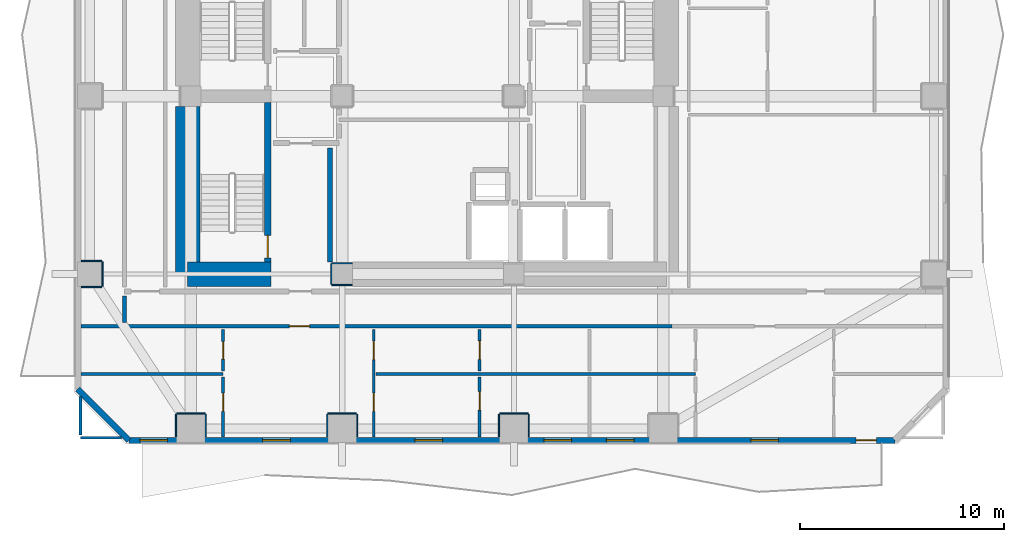
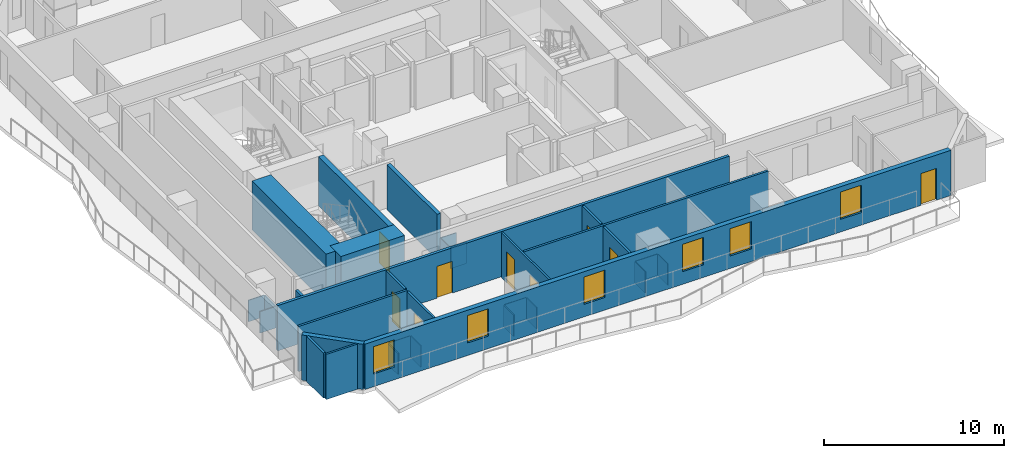
# One storey, part 2 of 11: 32 walls, 9 doors, 6 windows, 15 openings.
"""IFC4 building model written with IfcOpenShell, lengths in metres."""

from ifc_helpers import new_model, si_unit, direction, frame, frame_2d, origin, place, context, subcontext, project, spatial, rectangle, extrude, material, layer, layer_set, type_object, element, fill, save


model = new_model("IFC4")

# Units and contexts
model_context = context("Model", 3, precision=1e-05, world=origin(), true_north=direction((0.0, 1.0)))
body_context = subcontext(model_context, "Body", "Model", "MODEL_VIEW")
ifc_project = project(units=[si_unit("LENGTHUNIT", "METRE"), si_unit("AREAUNIT", "SQUARE_METRE"), si_unit("VOLUMEUNIT", "CUBIC_METRE"), si_unit("PLANEANGLEUNIT", "RADIAN"), si_unit("MASSUNIT", "GRAM", prefix="KILO")], contexts=[model_context])

# Site, building, storey
site_placement = place(None, origin())
site = spatial("IfcSite", under=ifc_project, at=site_placement, CompositionType="ELEMENT")
building_placement = place(site_placement, origin())
building = spatial("IfcBuilding", under=site, at=building_placement, Name="Solanera Arch Residences", CompositionType="ELEMENT")
storey_placement = place(building_placement, frame((0.0, 0.0, 71.800048828125)))
storey = spatial("IfcBuildingStorey", under=building, at=storey_placement, Name="L20", CompositionType="ELEMENT", Elevation=71.800048828125)

# Walls
ifc_material_1 = material(Name="Fire-Rated Gypsum Stud Partition", Category="gypsum")
ifc_layer_1 = layer(ifc_material_1, 0.06005859375)
ifc_layer_set_1 = layer_set([ifc_layer_1], Name="Fire-Rated Gypsum Stud Partition")
wall_type_1 = type_object("IfcWallType", Name="Column Acoustic Furring Wall 60", PredefinedType="PARTITIONING", material=ifc_layer_set_1)
for number, where, z_axis, x_axis, name in (
    (1, (20.300048828125, 21.468017578125, 0.0), (0.0, 0.0, 1.0), (1.0, 0.0, 0.0), "L20 Column Furring 1S"),
    (2, (20.300048828125, 22.531982421875, 0.0), (0.0, 0.0, 1.0), (1.0, 0.0, 0.0), "L20 Column Furring 1N"),
):
    element("IfcWall", number, at=place(storey_placement, frame(where, z_axis=z_axis, x_axis=x_axis)), inside=storey, type_object=wall_type_1, Name=name, PredefinedType="PARTITIONING", context=body_context, shape_type="SweptSolid", body=[
        extrude(rectangle(XDim=0.989990234375, YDim=0.06005859375, at=frame_2d((0.4951171875, 0.0))), origin(), (0.0, 0.0, 1.0), 1.449951171875),
    ])
wall_1_placement = place(storey_placement, frame((20.26806640625, 21.5, 0.0), z_axis=(0.0, 0.0, 1.0), x_axis=(0.0, 1.0, 0.0)))
element("IfcWall", 3, at=wall_1_placement, inside=storey, type_object=wall_type_1, Name="L20 Column Furring 1W", PredefinedType="PARTITIONING", context=body_context, shape_type="SweptSolid", body=[
    extrude(rectangle(XDim=1.0, YDim=0.06005859375, at=frame_2d((0.5, 0.0))), origin(), (0.0, 0.0, 1.0), 1.449951171875),
])
wall_2_placement = place(storey_placement, frame((12.699951171875, 15.181884765625, 0.0), z_axis=(0.0, 0.0, 1.0), x_axis=(1.0, 0.0, 0.0)))
element("IfcWall", 4, at=wall_2_placement, inside=storey, type_object=wall_type_1, Name="L20 Column Furring 9N", PredefinedType="PARTITIONING", context=body_context, shape_type="SweptSolid", body=[
    extrude(rectangle(XDim=1.400146484375, YDim=0.06005859375, at=frame_2d((0.7001953125, 0.0))), origin(), (0.0, 0.0, 1.0), 1.449951171875),
])
for number, where, z_axis, x_axis, name in (
    (5, (12.66796875, 14.030029296875, 0.0), (0.0, 0.0, 1.0), (0.0, 1.0, 0.0), "L20 Column Furring 9W"),
    (6, (14.132080078125, 14.030029296875, 0.0), (0.0, 0.0, 1.0), (0.0, 1.0, 0.0), "L20 Column Furring 9E"),
):
    element("IfcWall", number, at=place(storey_placement, frame(where, z_axis=z_axis, x_axis=x_axis)), inside=storey, type_object=wall_type_1, Name=name, PredefinedType="PARTITIONING", context=body_context, shape_type="SweptSolid", body=[
        extrude(rectangle(XDim=1.119873046875, YDim=0.06005859375, at=frame_2d((0.56005859375, 0.0))), origin(), (0.0, 0.0, 1.0), 1.449951171875),
    ])
wall_3_placement = place(storey_placement, frame((20.10009765625, 15.181884765625, 0.0), z_axis=(0.0, 0.0, 1.0), x_axis=(1.0, 0.0, 0.0)))
element("IfcWall", 7, at=wall_3_placement, inside=storey, type_object=wall_type_1, Name="L20 Column Furring 11N", PredefinedType="PARTITIONING", context=body_context, shape_type="SweptSolid", body=[
    extrude(rectangle(XDim=1.39990234375, YDim=0.06005859375, at=frame_2d((0.699951171875, 0.0))), origin(), (0.0, 0.0, 1.0), 1.449951171875),
])
for number, where, z_axis, x_axis, name in (
    (8, (20.068115234375, 14.030029296875, 0.0), (0.0, 0.0, 1.0), (0.0, 1.0, 0.0), "L20 Column Furring 11W"),
    (9, (21.531982421875, 14.030029296875, 0.0), (0.0, 0.0, 1.0), (0.0, 1.0, 0.0), "L20 Column Furring 11E"),
):
    element("IfcWall", number, at=place(storey_placement, frame(where, z_axis=z_axis, x_axis=x_axis)), inside=storey, type_object=wall_type_1, Name=name, PredefinedType="PARTITIONING", context=body_context, shape_type="SweptSolid", body=[
        extrude(rectangle(XDim=1.119873046875, YDim=0.06005859375, at=frame_2d((0.56005859375, 0.0))), origin(), (0.0, 0.0, 1.0), 1.449951171875),
    ])
wall_4_placement = place(storey_placement, frame((28.5, 15.181884765625, 0.0), z_axis=(0.0, 0.0, 1.0), x_axis=(1.0, 0.0, 0.0)))
element("IfcWall", 10, at=wall_4_placement, inside=storey, type_object=wall_type_1, Name="L20 Column Furring 13N", PredefinedType="PARTITIONING", context=body_context, shape_type="SweptSolid", body=[
    extrude(rectangle(XDim=1.39990234375, YDim=0.06005859375, at=frame_2d((0.699951171875, 0.0))), origin(), (0.0, 0.0, 1.0), 1.449951171875),
])
for number, where, z_axis, x_axis, name in (
    (11, (28.468017578125, 14.030029296875, 0.0), (0.0, 0.0, 1.0), (0.0, 1.0, 0.0), "L20 Column Furring 13W"),
    (12, (29.931884765625, 14.030029296875, 0.0), (0.0, 0.0, 1.0), (0.0, 1.0, 0.0), "L20 Column Furring 13E"),
):
    element("IfcWall", number, at=place(storey_placement, frame(where, z_axis=z_axis, x_axis=x_axis)), inside=storey, type_object=wall_type_1, Name=name, PredefinedType="PARTITIONING", context=body_context, shape_type="SweptSolid", body=[
        extrude(rectangle(XDim=1.119873046875, YDim=0.06005859375, at=frame_2d((0.56005859375, 0.0))), origin(), (0.0, 0.0, 1.0), 1.449951171875),
    ])
for number, where, z_axis, x_axis, name in (
    (13, (8.030029296875, 21.367919921875, 0.0), (0.0, 0.0, 1.0), (1.0, 0.0, 0.0), "L20 Column Furring 17S"),
    (14, (8.030029296875, 22.632080078125, 0.0), (0.0, 0.0, 1.0), (1.0, 0.0, 0.0), "L20 Column Furring 17N"),
):
    element("IfcWall", number, at=place(storey_placement, frame(where, z_axis=z_axis, x_axis=x_axis)), inside=storey, type_object=wall_type_1, Name=name, PredefinedType="PARTITIONING", context=body_context, shape_type="SweptSolid", body=[
        extrude(rectangle(XDim=1.02001953125, YDim=0.06005859375, at=frame_2d((0.510009765625, 0.0))), origin(), (0.0, 0.0, 1.0), 1.449951171875),
    ])
wall_5_placement = place(storey_placement, frame((9.08203125, 21.39990234375, 0.0), z_axis=(0.0, 0.0, 1.0), x_axis=(0.0, 1.0, 0.0)))
element("IfcWall", 15, at=wall_5_placement, inside=storey, type_object=wall_type_1, Name="L20 Column Furring 17E", PredefinedType="PARTITIONING", context=body_context, shape_type="SweptSolid", body=[
    extrude(rectangle(XDim=1.2001953125, YDim=0.06005859375, at=frame_2d((0.60009765625, 0.0))), origin(), (0.0, 0.0, 1.0), 1.449951171875),
])
ifc_material_2 = material(Name="Concrete C55/67 (f'c = 60 MPa)", Category="concrete")
ifc_layer_2 = layer(ifc_material_2, 1.199951171875)
ifc_layer_set_2 = layer_set([ifc_layer_2], Name="Concrete C55/67 (f'c = 60 MPa)")
wall_type_2 = type_object("IfcWallType", Name="Core Shear Wall CW-1200", PredefinedType="SHEAR", material=ifc_layer_set_2)
wall_6_placement = place(storey_placement, frame((13.239990234375, 22.0, 0.0), z_axis=(0.0, 0.0, 1.0), x_axis=(0.0, 1.0, 0.0)))
element("IfcWall", 16, at=wall_6_placement, inside=storey, type_object=wall_type_2, Name="L20 West Core South Shear Wall", PredefinedType="SHEAR", context=body_context, shape_type="SweptSolid", body=[
    extrude(rectangle(XDim=8.195068359375, YDim=1.199951171875, at=frame_2d((4.09765625, 0.0))), origin(), (0.0, 0.0, 1.0), 3.320068359375),
])
wall_7_placement = place(storey_placement, frame((13.239990234375, 22.0, 0.0), z_axis=(0.0, 0.0, 1.0), x_axis=(1.0, 0.0, 0.0)))
element("IfcWall", 17, at=wall_7_placement, inside=storey, type_object=wall_type_2, Name="L20 South-West Core Shear Wall", PredefinedType="SHEAR", context=body_context, shape_type="SweptSolid", body=[
    extrude(rectangle(XDim=4.080078125, YDim=1.199951171875, at=frame_2d((2.0400390625, 0.0))), origin(), (0.0, 0.0, 1.0), 3.320068359375),
])

# Wall, opening, door
ifc_material_3 = material(Name="Concrete C40/50 (f'c = 45 MPa)", Category="concrete")
ifc_layer_3 = layer(ifc_material_3, 0.320068359375)
ifc_layer_set_3 = layer_set([ifc_layer_3], Name="Concrete C40/50 (f'c = 45 MPa)")
wall_type_3 = type_object("IfcWallType", Name="Core Shear Wall CW-320", PredefinedType="SHEAR", material=ifc_layer_set_3)
wall_8_placement = place(storey_placement, frame((17.159912109375, 22.60009765625, 0.0), z_axis=(0.0, 0.0, 1.0), x_axis=(0.0, 1.0, 0.0)))
wall_8 = element("IfcWall", 18, at=wall_8_placement, inside=storey, type_object=wall_type_3, Name="L20 Stair ST-T3 East Shear Wall", PredefinedType="SHEAR", context=body_context, shape_type="SweptSolid", body=[
    extrude(rectangle(XDim=7.7998046875, YDim=0.320068359375, at=frame_2d((3.89990234375, 0.0))), origin(), (0.0, 0.0, 1.0), 3.320068359375),
])
opening_1_placement = place(wall_8_placement, frame((0.18994140625, 0.0, 0.0)))
opening_1 = element("IfcOpeningElement", 19, at=opening_1_placement, cuts=wall_8, Name="Opening DF-01", PredefinedType="OPENING", context=body_context, shape_type="SweptSolid", body=[
    extrude(rectangle(XDim=1.10009765625, YDim=2.14990234375, at=frame_2d((0.550048828125, 1.074951171875))), frame((0.0, 0.169921875, 0.0), z_axis=(0.0, -1.0, 0.0), x_axis=(1.0, 0.0, 0.0)), (0.0, 0.0, 1.0), 0.3401),
])
ifc_material_4 = material(Name="Fire-Rated Architectural Hardwood", Category="wood")
door_type_1 = type_object("IfcDoorType", Name="Stair Exit Fire Door DF-01", OperationType="NOTDEFINED", PredefinedType="DOOR", material=ifc_material_4)
door_1_placement = place(opening_1_placement, origin())
door_1 = element("IfcDoor", 20, at=door_1_placement, inside=storey, type_object=door_type_1, Name="DR-L20-STAIR-ST-T3", OperationType="SINGLE_SWING_LEFT", OverallHeight=2.14990234375, OverallWidth=1.10009765625, PredefinedType="DOOR", context=body_context, shape_type="SweptSolid", body=[
    extrude(rectangle(XDim=1.10009765625, YDim=2.14990234375, at=frame_2d((0.550048828125, 1.074951171875))), frame((0.0, 0.02490234375, 0.0), z_axis=(0.0, -1.0, 0.0), x_axis=(1.0, 0.0, 0.0)), (0.0, 0.0, 1.0), 0.050048828125),
])
fill(opening_1, door_1)

ifc_material_5 = material(Name="Autoclaved Aerated Concrete Blockwork", Category="masonry")
ifc_layer_4 = layer(ifc_material_5, 0.179931640625)
ifc_layer_set_4 = layer_set([ifc_layer_4], Name="Autoclaved Aerated Concrete Blockwork")
wall_type_4 = type_object("IfcWallType", Name="Corridor Fire Partition 180", PredefinedType="PARTITIONING", material=ifc_layer_set_4)
wall_9_placement = place(storey_placement, frame((8.027099609375, 19.449951171875, 0.0), z_axis=(0.0, 0.0, 1.0), x_axis=(1.0, 0.0, 0.0)))
wall_9 = element("IfcWall", 21, at=wall_9_placement, inside=storey, type_object=wall_type_4, Name="L20 Interior Partition H6 1", PredefinedType="PARTITIONING", context=body_context, shape_type="SweptSolid", body=[
    extrude(rectangle(XDim=28.90185546875, YDim=0.179931640625, at=frame_2d((14.450927734375, 0.0))), origin(), (0.0, 0.0, 1.0), 3.06005859375),
])
opening_2_placement = place(wall_9_placement, frame((10.18701171875, 0.0, 0.0)))
opening_2 = element("IfcOpeningElement", 22, at=opening_2_placement, cuts=wall_9, Name="Opening DI-01", PredefinedType="OPENING", context=body_context, shape_type="SweptSolid", body=[
    extrude(rectangle(XDim=1.0, YDim=2.14990234375, at=frame_2d((0.5, 1.074951171875))), frame((0.0, 0.10009765625, 0.0), z_axis=(0.0, -1.0, 0.0), x_axis=(1.0, 0.0, 0.0)), (0.0, 0.0, 1.0), 0.1999),
])
ifc_material_6 = material(Name="Fire-Rated Architectural Hardwood", Category="wood")
door_type_2 = type_object("IfcDoorType", Name="Unit Entrance Fire Door DI-01", OperationType="NOTDEFINED", PredefinedType="DOOR", material=ifc_material_6)
door_2_placement = place(opening_2_placement, origin())
door_2 = element("IfcDoor", 23, at=door_2_placement, inside=storey, type_object=door_type_2, Name="DR-L20-IN-013", OperationType="SINGLE_SWING_LEFT", OverallHeight=2.14990234375, OverallWidth=1.0, PredefinedType="DOOR", context=body_context, shape_type="SweptSolid", body=[
    extrude(rectangle(XDim=1.0, YDim=2.14990234375, at=frame_2d((0.5, 1.074951171875))), frame((0.0, 0.02490234375, 0.0), z_axis=(0.0, -1.0, 0.0), x_axis=(1.0, 0.0, 0.0)), (0.0, 0.0, 1.0), 0.050048828125),
])
fill(opening_2, door_2)

# Wall
wall_10_placement = place(storey_placement, frame((10.14990234375, 19.637939453125, 0.0), z_axis=(0.0, 0.0, 1.0), x_axis=(0.0, 1.0, 0.0)))
element("IfcWall", 24, at=wall_10_placement, inside=storey, type_object=wall_type_4, Name="L20 Interior Partition V6 1", PredefinedType="PARTITIONING", context=body_context, shape_type="SweptSolid", body=[
    extrude(rectangle(XDim=1.2939453125, YDim=0.179931640625, at=frame_2d((0.64697265625, 0.0))), origin(), (0.0, 0.0, 1.0), 2.445068359375),
])

# Wall, openings, door, windows
ifc_material_7 = material(Name="Precast Concrete C35/45", Category="concrete")
ifc_layer_5 = layer(ifc_material_7, 0.300048828125)
ifc_layer_set_5 = layer_set([ifc_layer_5], Name="Precast Concrete C35/45")
wall_type_5 = type_object("IfcWallType", Name="Exterior Wall Precast Masonry-Frame 300", PredefinedType="STANDARD", material=ifc_layer_set_5)
wall_11_placement = place(storey_placement, frame((47.8349609375, 13.864990234375, 0.0), z_axis=(0.0, 0.0, 1.0), x_axis=(-1.0, 0.0, 0.0)))
wall_11 = element("IfcWall", 25, at=wall_11_placement, inside=storey, type_object=wall_type_5, Name="L20 Tower Exterior Precast Masonry-Frame Wall S", PredefinedType="STANDARD", context=body_context, shape_type="SweptSolid", body=[
    extrude(rectangle(XDim=37.469970703125, YDim=0.300048828125, at=frame_2d((18.73486328125, 0.0))), origin(), (0.0, 0.0, 1.0), 3.06005859375),
])
opening_3_placement = place(wall_11_placement, frame((0.90087890625, 0.0, 0.0)))
opening_3 = element("IfcOpeningElement", 26, at=opening_3_placement, cuts=wall_11, Name="Opening DB-01", PredefinedType="OPENING", context=body_context, shape_type="SweptSolid", body=[
    extrude(rectangle(XDim=1.0, YDim=2.14990234375, at=frame_2d((0.5, 1.074951171875))), frame((0.0, 0.159912109375, 0.0), z_axis=(0.0, -1.0, 0.0), x_axis=(1.0, 0.0, 0.0)), (0.0, 0.0, 1.0), 0.32),
])
opening_4_placement = place(wall_11_placement, frame((29.570068359375, 0.0, 0.85009765625)))
opening_4 = element("IfcOpeningElement", 27, at=opening_4_placement, cuts=wall_11, Name="Opening W-10", PredefinedType="OPENING", context=body_context, shape_type="SweptSolid", body=[
    extrude(rectangle(XDim=1.35009765625, YDim=1.85009765625, at=frame_2d((0.675048828125, 0.925048828125))), frame((0.0, 0.159912109375, 0.0), z_axis=(0.0, -1.0, 0.0), x_axis=(1.0, 0.0, 0.0)), (0.0, 0.0, 1.0), 0.32),
])
opening_5_placement = place(wall_11_placement, frame((35.5830078125, 0.0, 0.85009765625)))
opening_5 = element("IfcOpeningElement", 28, at=opening_5_placement, cuts=wall_11, Name="Opening W-10", PredefinedType="OPENING", context=body_context, shape_type="SweptSolid", body=[
    extrude(rectangle(XDim=1.35009765625, YDim=1.85009765625, at=frame_2d((0.675048828125, 0.925048828125))), frame((0.0, 0.159912109375, 0.0), z_axis=(0.0, -1.0, 0.0), x_axis=(1.0, 0.0, 0.0)), (0.0, 0.0, 1.0), 0.32),
])
opening_6_placement = place(wall_11_placement, frame((22.1259765625, 0.0, 0.85009765625)))
opening_6 = element("IfcOpeningElement", 29, at=opening_6_placement, cuts=wall_11, Name="Opening W-10", PredefinedType="OPENING", context=body_context, shape_type="SweptSolid", body=[
    extrude(rectangle(XDim=1.35009765625, YDim=1.85009765625, at=frame_2d((0.675048828125, 0.925048828125))), frame((0.0, 0.159912109375, 0.0), z_axis=(0.0, -1.0, 0.0), x_axis=(1.0, 0.0, 0.0)), (0.0, 0.0, 1.0), 0.32),
])
opening_7_placement = place(wall_11_placement, frame((15.81396484375, 0.0, 0.85009765625)))
opening_7 = element("IfcOpeningElement", 30, at=opening_7_placement, cuts=wall_11, Name="Opening W-10", PredefinedType="OPENING", context=body_context, shape_type="SweptSolid", body=[
    extrude(rectangle(XDim=1.35009765625, YDim=1.85009765625, at=frame_2d((0.675048828125, 0.925048828125))), frame((0.0, 0.159912109375, 0.0), z_axis=(0.0, -1.0, 0.0), x_axis=(1.0, 0.0, 0.0)), (0.0, 0.0, 1.0), 0.32),
])
opening_8_placement = place(wall_11_placement, frame((5.699951171875, 0.0, 0.85009765625)))
opening_8 = element("IfcOpeningElement", 31, at=opening_8_placement, cuts=wall_11, Name="Opening W-10", PredefinedType="OPENING", context=body_context, shape_type="SweptSolid", body=[
    extrude(rectangle(XDim=1.35009765625, YDim=1.85009765625, at=frame_2d((0.675048828125, 0.925048828125))), frame((0.0, 0.159912109375, 0.0), z_axis=(0.0, -1.0, 0.0), x_axis=(1.0, 0.0, 0.0)), (0.0, 0.0, 1.0), 0.32),
])
opening_9_placement = place(wall_11_placement, frame((12.763916015625, 0.0, 0.85009765625)))
opening_9 = element("IfcOpeningElement", 32, at=opening_9_placement, cuts=wall_11, Name="Opening W-10", PredefinedType="OPENING", context=body_context, shape_type="SweptSolid", body=[
    extrude(rectangle(XDim=1.35009765625, YDim=1.85009765625, at=frame_2d((0.675048828125, 0.925048828125))), frame((0.0, 0.159912109375, 0.0), z_axis=(0.0, -1.0, 0.0), x_axis=(1.0, 0.0, 0.0)), (0.0, 0.0, 1.0), 0.32),
])
ifc_material_8 = material(Name="Anodised Aluminium Alloy 6063-T6", Category="aluminium")
door_type_3 = type_object("IfcDoorType", Name="Glazed Balcony Swing Door DB-01", OperationType="NOTDEFINED", PredefinedType="DOOR", material=ifc_material_8)
door_3_placement = place(opening_3_placement, origin())
door_3 = element("IfcDoor", 33, at=door_3_placement, inside=storey, type_object=door_type_3, Name="DR-L20-OUT-01", OperationType="SINGLE_SWING_RIGHT", OverallHeight=2.14990234375, OverallWidth=1.0, PredefinedType="DOOR", context=body_context, shape_type="SweptSolid", body=[
    extrude(rectangle(XDim=1.0, YDim=2.14990234375, at=frame_2d((0.5, 1.074951171875))), frame((0.0, 0.02490234375, 0.0), z_axis=(0.0, -1.0, 0.0), x_axis=(1.0, 0.0, 0.0)), (0.0, 0.0, 1.0), 0.050048828125),
])
fill(opening_3, door_3)
ifc_material_9 = material(Name="Double Glazed Low-E Laminated Glass", Category="glass")
window_type = type_object("IfcWindowType", Name="Punched Window W-10", PartitioningType="DOUBLE_PANEL_VERTICAL", PredefinedType="WINDOW", material=ifc_material_9)
window_1_placement = place(opening_4_placement, origin())
window_1 = element("IfcWindow", 34, at=window_1_placement, inside=storey, type_object=window_type, Name="L20 2001-LIV Punched Window", OverallHeight=1.85009765625, OverallWidth=1.35009765625, PartitioningType="SINGLE_PANEL", PredefinedType="WINDOW", context=body_context, shape_type="SweptSolid", body=[
    extrude(rectangle(XDim=1.35009765625, YDim=1.85009765625, at=frame_2d((0.675048828125, 0.925048828125))), frame((0.0, 0.030029296875, 0.0), z_axis=(0.0, -1.0, 0.0), x_axis=(1.0, 0.0, 0.0)), (0.0, 0.0, 1.0), 0.06005859375),
])
fill(opening_4, window_1)
window_2_placement = place(opening_5_placement, origin())
window_2 = element("IfcWindow", 35, at=window_2_placement, inside=storey, type_object=window_type, Name="L20 2001-BR1 Punched Window", OverallHeight=1.85009765625, OverallWidth=1.35009765625, PartitioningType="SINGLE_PANEL", PredefinedType="WINDOW", context=body_context, shape_type="SweptSolid", body=[
    extrude(rectangle(XDim=1.35009765625, YDim=1.85009765625, at=frame_2d((0.675048828125, 0.925048828125))), frame((0.0, 0.030029296875, 0.0), z_axis=(0.0, -1.0, 0.0), x_axis=(1.0, 0.0, 0.0)), (0.0, 0.0, 1.0), 0.06005859375),
])
fill(opening_5, window_2)
window_3_placement = place(opening_6_placement, origin())
window_3 = element("IfcWindow", 36, at=window_3_placement, inside=storey, type_object=window_type, Name="L20 2001-BR2 Punched Window", OverallHeight=1.85009765625, OverallWidth=1.35009765625, PartitioningType="SINGLE_PANEL", PredefinedType="WINDOW", context=body_context, shape_type="SweptSolid", body=[
    extrude(rectangle(XDim=1.35009765625, YDim=1.85009765625, at=frame_2d((0.675048828125, 0.925048828125))), frame((0.0, 0.030029296875, 0.0), z_axis=(0.0, -1.0, 0.0), x_axis=(1.0, 0.0, 0.0)), (0.0, 0.0, 1.0), 0.06005859375),
])
fill(opening_6, window_3)
window_4_placement = place(opening_7_placement, origin())
window_4 = element("IfcWindow", 37, at=window_4_placement, inside=storey, type_object=window_type, Name="L20 2001-BR3 Punched Window", OverallHeight=1.85009765625, OverallWidth=1.35009765625, PartitioningType="SINGLE_PANEL", PredefinedType="WINDOW", context=body_context, shape_type="SweptSolid", body=[
    extrude(rectangle(XDim=1.35009765625, YDim=1.85009765625, at=frame_2d((0.675048828125, 0.925048828125))), frame((0.0, 0.030029296875, 0.0), z_axis=(0.0, -1.0, 0.0), x_axis=(1.0, 0.0, 0.0)), (0.0, 0.0, 1.0), 0.06005859375),
])
fill(opening_7, window_4)
window_5_placement = place(opening_8_placement, origin())
window_5 = element("IfcWindow", 38, at=window_5_placement, inside=storey, type_object=window_type, Name="L20 2002-LIV Punched Window", OverallHeight=1.85009765625, OverallWidth=1.35009765625, PartitioningType="SINGLE_PANEL", PredefinedType="WINDOW", context=body_context, shape_type="SweptSolid", body=[
    extrude(rectangle(XDim=1.35009765625, YDim=1.85009765625, at=frame_2d((0.675048828125, 0.925048828125))), frame((0.0, 0.030029296875, 0.0), z_axis=(0.0, -1.0, 0.0), x_axis=(1.0, 0.0, 0.0)), (0.0, 0.0, 1.0), 0.06005859375),
])
fill(opening_8, window_5)
window_6_placement = place(opening_9_placement, origin())
window_6 = element("IfcWindow", 39, at=window_6_placement, inside=storey, type_object=window_type, Name="L20 2002-BR1 Punched Window", OverallHeight=1.85009765625, OverallWidth=1.35009765625, PartitioningType="SINGLE_PANEL", PredefinedType="WINDOW", context=body_context, shape_type="SweptSolid", body=[
    extrude(rectangle(XDim=1.35009765625, YDim=1.85009765625, at=frame_2d((0.675048828125, 0.925048828125))), frame((0.0, 0.030029296875, 0.0), z_axis=(0.0, -1.0, 0.0), x_axis=(1.0, 0.0, 0.0)), (0.0, 0.0, 1.0), 0.06005859375),
])
fill(opening_9, window_6)

# Walls
wall_12_placement = place(storey_placement, frame((10.364990234375, 13.864990234375, 0.0), z_axis=(0.0, 0.0, 1.0), x_axis=(-0.707106781187, 0.707106781187, 0.0)))
element("IfcWall", 40, at=wall_12_placement, inside=storey, type_object=wall_type_5, Name="L20 Tower Exterior Precast Masonry-Frame Wall CH7", PredefinedType="STANDARD", context=body_context, shape_type="SweptSolid", body=[
    extrude(rectangle(XDim=3.53564453125, YDim=0.300048828125, at=frame_2d((1.767822265625, 0.0))), origin(), (0.0, 0.0, 1.0), 3.06005859375),
])
ifc_material_10 = material(Name="Autoclaved Aerated Concrete Blockwork", Category="masonry")
ifc_layer_6 = layer(ifc_material_10, 0.239990234375)
ifc_layer_set_6 = layer_set([ifc_layer_6], Name="Autoclaved Aerated Concrete Blockwork")
wall_type_6 = type_object("IfcWallType", Name="Shaft Wall Fire-Rated 240", PredefinedType="PARTITIONING", material=ifc_layer_set_6)
wall_13_placement = place(storey_placement, frame((20.199951171875, 22.5859375, 0.0), z_axis=(0.0, 0.0, 1.0), x_axis=(0.0, 1.0, 0.0)))
element("IfcWall", 41, at=wall_13_placement, inside=storey, type_object=wall_type_6, Name="L20 Interior Partition V2", PredefinedType="PARTITIONING", context=body_context, shape_type="SweptSolid", body=[
    extrude(rectangle(XDim=5.566162109375, YDim=0.239990234375, at=frame_2d((2.783203125, 0.0))), origin(), (0.0, 0.0, 1.0), 3.06005859375),
])
ifc_material_11 = material(Name="Fire-Rated Gypsum Stud Partition", Category="gypsum")
ifc_layer_7 = layer(ifc_material_11, 0.1201171875)
ifc_layer_set_7 = layer_set([ifc_layer_7], Name="Fire-Rated Gypsum Stud Partition")
wall_type_7 = type_object("IfcWallType", Name="Unit Drywall Partition 120", PredefinedType="PARTITIONING", material=ifc_layer_set_7)
wall_14_placement = place(storey_placement, frame((8.0, 14.0, 0.0), z_axis=(0.0, 0.0, 1.0), x_axis=(1.0, 0.0, 0.0)))
element("IfcWall", 42, at=wall_14_placement, inside=storey, type_object=wall_type_7, Name="L20 Interior Partition H19 1", PredefinedType="PARTITIONING", context=body_context, shape_type="SweptSolid", body=[
    extrude(rectangle(XDim=2.0009765625, YDim=0.1201171875, at=frame_2d((1.00048828125, 0.0))), origin(), (0.0, 0.0, 1.0), 3.06005859375),
])

# Wall, openings, doors
wall_15_placement = place(storey_placement, frame((22.35205078125, 14.027099609375, 0.0), z_axis=(0.0, 0.0, 1.0), x_axis=(0.0, 1.0, 0.0)))
wall_15 = element("IfcWall", 43, at=wall_15_placement, inside=storey, type_object=wall_type_7, Name="L20 Interior Partition V22", PredefinedType="PARTITIONING", context=body_context, shape_type="SweptSolid", body=[
    extrude(rectangle(XDim=5.264892578125, YDim=0.1201171875, at=frame_2d((2.63232421875, 0.0))), origin(), (0.0, 0.0, 1.0), 3.06005859375),
])
opening_10_placement = place(wall_15_placement, frame((3.7890625, 0.0, 0.0)))
opening_10 = element("IfcOpeningElement", 44, at=opening_10_placement, cuts=wall_15, Name="Opening DI-02", PredefinedType="OPENING", context=body_context, shape_type="SweptSolid", body=[
    extrude(rectangle(XDim=0.89990234375, YDim=2.10009765625, at=frame_2d((0.449951171875, 1.050048828125))), frame((0.0, 0.070068359375, 0.0), z_axis=(0.0, -1.0, 0.0), x_axis=(1.0, 0.0, 0.0)), (0.0, 0.0, 1.0), 0.1401),
])
opening_11_placement = place(wall_15_placement, frame((1.2490234375, 0.0, 0.0)))
opening_11 = element("IfcOpeningElement", 45, at=opening_11_placement, cuts=wall_15, Name="Opening DI-03", PredefinedType="OPENING", context=body_context, shape_type="SweptSolid", body=[
    extrude(rectangle(XDim=0.89990234375, YDim=2.10009765625, at=frame_2d((0.449951171875, 1.050048828125))), frame((0.0, 0.070068359375, 0.0), z_axis=(0.0, -1.0, 0.0), x_axis=(1.0, 0.0, 0.0)), (0.0, 0.0, 1.0), 0.1401),
])
ifc_material_12 = material(Name="Fire-Rated Architectural Hardwood", Category="wood")
door_type_4 = type_object("IfcDoorType", Name="Bedroom Swing Door DI-03", OperationType="NOTDEFINED", PredefinedType="DOOR", material=ifc_material_12)
door_4_placement = place(opening_11_placement, origin())
door_4 = element("IfcDoor", 46, at=door_4_placement, inside=storey, type_object=door_type_4, Name="DR-L20-IN-018", OperationType="SINGLE_SWING_RIGHT", OverallHeight=2.10009765625, OverallWidth=0.89990234375, PredefinedType="DOOR", context=body_context, shape_type="SweptSolid", body=[
    extrude(rectangle(XDim=0.89990234375, YDim=2.10009765625, at=frame_2d((0.449951171875, 1.050048828125))), frame((0.0, 0.02490234375, 0.0), z_axis=(0.0, -1.0, 0.0), x_axis=(1.0, 0.0, 0.0)), (0.0, 0.0, 1.0), 0.050048828125),
])
fill(opening_11, door_4)
ifc_material_13 = material(Name="Fire-Rated Architectural Hardwood", Category="wood")
door_type_5 = type_object("IfcDoorType", Name="Suite Room Swing Door DI-02", OperationType="NOTDEFINED", PredefinedType="DOOR", material=ifc_material_13)
door_5_placement = place(opening_10_placement, origin())
door_5 = element("IfcDoor", 47, at=door_5_placement, inside=storey, type_object=door_type_5, Name="DR-L20-IN-016", OperationType="SINGLE_SWING_RIGHT", OverallHeight=2.10009765625, OverallWidth=0.89990234375, PredefinedType="DOOR", context=body_context, shape_type="SweptSolid", body=[
    extrude(rectangle(XDim=0.89990234375, YDim=2.10009765625, at=frame_2d((0.449951171875, 1.050048828125))), frame((0.0, 0.02490234375, 0.0), z_axis=(0.0, -1.0, 0.0), x_axis=(1.0, 0.0, 0.0)), (0.0, 0.0, 1.0), 0.050048828125),
])
fill(opening_10, door_5)

# Walls
ifc_material_14 = material(Name="Autoclaved Aerated Concrete Blockwork", Category="masonry")
ifc_layer_8 = layer(ifc_material_14, 0.139892578125)
ifc_layer_set_8 = layer_set([ifc_layer_8], Name="Autoclaved Aerated Concrete Blockwork")
wall_type_8 = type_object("IfcWallType", Name="Wet-Room Partition 140", PredefinedType="PARTITIONING", material=ifc_layer_set_8)
wall_16_placement = place(storey_placement, frame((8.027099609375, 17.10693359375, 0.0), z_axis=(0.0, 0.0, 1.0), x_axis=(1.0, 0.0, 0.0)))
element("IfcWall", 48, at=wall_16_placement, inside=storey, type_object=wall_type_8, Name="L20 Interior Partition H12", PredefinedType="PARTITIONING", context=body_context, shape_type="SweptSolid", body=[
    extrude(rectangle(XDim=6.952880859375, YDim=0.139892578125, at=frame_2d((3.4765625, 0.0))), origin(), (0.0, 0.0, 1.0), 3.06005859375),
])
wall_17_placement = place(storey_placement, frame((22.447998046875, 17.10693359375, 0.0), z_axis=(0.0, 0.0, 1.0), x_axis=(1.0, 0.0, 0.0)))
element("IfcWall", 49, at=wall_17_placement, inside=storey, type_object=wall_type_8, Name="L20 Interior Partition H13", PredefinedType="PARTITIONING", context=body_context, shape_type="SweptSolid", body=[
    extrude(rectangle(XDim=15.635986328125, YDim=0.139892578125, at=frame_2d((7.81787109375, 0.0))), origin(), (0.0, 0.0, 1.0), 3.06005859375),
])
wall_18_placement = place(storey_placement, frame((8.0, 14.137939453125, 0.0), z_axis=(0.0, 0.0, 1.0), x_axis=(0.0, 1.0, 0.0)))
element("IfcWall", 50, at=wall_18_placement, inside=storey, type_object=wall_type_8, Name="L20 Interior Partition V10", PredefinedType="PARTITIONING", context=body_context, shape_type="SweptSolid", body=[
    extrude(rectangle(XDim=1.863037109375, YDim=0.139892578125, at=frame_2d((0.931640625, 0.0))), origin(), (0.0, 0.0, 1.0), 3.06005859375),
])

# Wall, opening, door
wall_19_placement = place(storey_placement, frame((14.97998046875, 14.027099609375, 0.0), z_axis=(0.0, 0.0, 1.0), x_axis=(0.0, 1.0, 0.0)))
wall_19 = element("IfcWall", 51, at=wall_19_placement, inside=storey, type_object=wall_type_8, Name="L20 Interior Partition V13 1", PredefinedType="PARTITIONING", context=body_context, shape_type="SweptSolid", body=[
    extrude(rectangle(XDim=2.931884765625, YDim=0.139892578125, at=frame_2d((1.4658203125, 0.0))), origin(), (0.0, 0.0, 1.0), 3.06005859375),
])
opening_12_placement = place(wall_19_placement, frame((1.2490234375, 0.0, 0.0)))
opening_12 = element("IfcOpeningElement", 52, at=opening_12_placement, cuts=wall_19, Name="Opening DI-03", PredefinedType="OPENING", context=body_context, shape_type="SweptSolid", body=[
    extrude(rectangle(XDim=0.89990234375, YDim=2.10009765625, at=frame_2d((0.449951171875, 1.050048828125))), frame((0.0, 0.079833984375, 0.0), z_axis=(0.0, -1.0, 0.0), x_axis=(1.0, 0.0, 0.0)), (0.0, 0.0, 1.0), 0.1599),
])
door_6_placement = place(opening_12_placement, origin())
door_6 = element("IfcDoor", 53, at=door_6_placement, inside=storey, type_object=door_type_4, Name="DR-L20-IN-015", OperationType="SINGLE_SWING_LEFT", OverallHeight=2.10009765625, OverallWidth=0.89990234375, PredefinedType="DOOR", context=body_context, shape_type="SweptSolid", body=[
    extrude(rectangle(XDim=0.89990234375, YDim=2.10009765625, at=frame_2d((0.449951171875, 1.050048828125))), frame((0.0, 0.02490234375, 0.0), z_axis=(0.0, -1.0, 0.0), x_axis=(1.0, 0.0, 0.0)), (0.0, 0.0, 1.0), 0.050048828125),
])
fill(opening_12, door_6)

wall_20_placement = place(storey_placement, frame((14.97998046875, 17.2548828125, 0.0), z_axis=(0.0, 0.0, 1.0), x_axis=(0.0, 1.0, 0.0)))
wall_20 = element("IfcWall", 54, at=wall_20_placement, inside=storey, type_object=wall_type_8, Name="L20 Interior Partition V13 2", PredefinedType="PARTITIONING", context=body_context, shape_type="SweptSolid", body=[
    extrude(rectangle(XDim=2.027099609375, YDim=0.139892578125, at=frame_2d((1.013671875, 0.0))), origin(), (0.0, 0.0, 1.0), 3.06005859375),
])
opening_13_placement = place(wall_20_placement, frame((0.5810546875, 0.0, 0.0)))
opening_13 = element("IfcOpeningElement", 55, at=opening_13_placement, cuts=wall_20, Name="Opening DI-05", PredefinedType="OPENING", context=body_context, shape_type="SweptSolid", body=[
    extrude(rectangle(XDim=0.860107421875, YDim=2.02001953125, at=frame_2d((0.43017578125, 1.010009765625))), frame((0.0, 0.079833984375, 0.0), z_axis=(0.0, -1.0, 0.0), x_axis=(1.0, 0.0, 0.0)), (0.0, 0.0, 1.0), 0.1599),
])
ifc_material_15 = material(Name="Fire-Rated Architectural Hardwood", Category="wood")
door_type_6 = type_object("IfcDoorType", Name="Bathroom Swing Door DI-05", OperationType="NOTDEFINED", PredefinedType="DOOR", material=ifc_material_15)
door_7_placement = place(opening_13_placement, origin())
door_7 = element("IfcDoor", 56, at=door_7_placement, inside=storey, type_object=door_type_6, Name="DR-L20-IN-014", OperationType="SINGLE_SWING_RIGHT", OverallHeight=2.02001953125, OverallWidth=0.860107421875, PredefinedType="DOOR", context=body_context, shape_type="SweptSolid", body=[
    extrude(rectangle(XDim=0.860107421875, YDim=2.02001953125, at=frame_2d((0.43017578125, 1.010009765625))), frame((0.0, 0.02490234375, 0.0), z_axis=(0.0, -1.0, 0.0), x_axis=(1.0, 0.0, 0.0)), (0.0, 0.0, 1.0), 0.050048828125),
])
fill(opening_13, door_7)

wall_21_placement = place(storey_placement, frame((27.52001953125, 14.027099609375, 0.0), z_axis=(0.0, 0.0, 1.0), x_axis=(0.0, 1.0, 0.0)))
wall_21 = element("IfcWall", 57, at=wall_21_placement, inside=storey, type_object=wall_type_8, Name="L20 Interior Partition V14 1", PredefinedType="PARTITIONING", context=body_context, shape_type="SweptSolid", body=[
    extrude(rectangle(XDim=2.931884765625, YDim=0.139892578125, at=frame_2d((1.4658203125, 0.0))), origin(), (0.0, 0.0, 1.0), 3.06005859375),
])
opening_14_placement = place(wall_21_placement, frame((1.31689453125, 0.0, 0.0)))
opening_14 = element("IfcOpeningElement", 58, at=opening_14_placement, cuts=wall_21, Name="Opening DI-03", PredefinedType="OPENING", context=body_context, shape_type="SweptSolid", body=[
    extrude(rectangle(XDim=0.89990234375, YDim=2.10009765625, at=frame_2d((0.449951171875, 1.050048828125))), frame((0.0, 0.079833984375, 0.0), z_axis=(0.0, -1.0, 0.0), x_axis=(1.0, 0.0, 0.0)), (0.0, 0.0, 1.0), 0.1599),
])
door_8_placement = place(opening_14_placement, origin())
door_8 = element("IfcDoor", 59, at=door_8_placement, inside=storey, type_object=door_type_4, Name="DR-L20-IN-019", OperationType="SINGLE_SWING_LEFT", OverallHeight=2.10009765625, OverallWidth=0.89990234375, PredefinedType="DOOR", context=body_context, shape_type="SweptSolid", body=[
    extrude(rectangle(XDim=0.89990234375, YDim=2.10009765625, at=frame_2d((0.449951171875, 1.050048828125))), frame((0.0, 0.02490234375, 0.0), z_axis=(0.0, -1.0, 0.0), x_axis=(1.0, 0.0, 0.0)), (0.0, 0.0, 1.0), 0.050048828125),
])
fill(opening_14, door_8)

wall_22_placement = place(storey_placement, frame((27.52001953125, 17.2548828125, 0.0), z_axis=(0.0, 0.0, 1.0), x_axis=(0.0, 1.0, 0.0)))
wall_22 = element("IfcWall", 60, at=wall_22_placement, inside=storey, type_object=wall_type_8, Name="L20 Interior Partition V14 2", PredefinedType="PARTITIONING", context=body_context, shape_type="SweptSolid", body=[
    extrude(rectangle(XDim=2.027099609375, YDim=0.139892578125, at=frame_2d((1.013671875, 0.0))), origin(), (0.0, 0.0, 1.0), 3.06005859375),
])
opening_15_placement = place(wall_22_placement, frame((0.572998046875, 0.0, 0.0)))
opening_15 = element("IfcOpeningElement", 61, at=opening_15_placement, cuts=wall_22, Name="Opening DI-02", PredefinedType="OPENING", context=body_context, shape_type="SweptSolid", body=[
    extrude(rectangle(XDim=0.89990234375, YDim=2.10009765625, at=frame_2d((0.449951171875, 1.050048828125))), frame((0.0, 0.079833984375, 0.0), z_axis=(0.0, -1.0, 0.0), x_axis=(1.0, 0.0, 0.0)), (0.0, 0.0, 1.0), 0.1599),
])
door_9_placement = place(opening_15_placement, origin())
door_9 = element("IfcDoor", 62, at=door_9_placement, inside=storey, type_object=door_type_5, Name="DR-L20-IN-017", OperationType="SINGLE_SWING_LEFT", OverallHeight=2.10009765625, OverallWidth=0.89990234375, PredefinedType="DOOR", context=body_context, shape_type="SweptSolid", body=[
    extrude(rectangle(XDim=0.89990234375, YDim=2.10009765625, at=frame_2d((0.449951171875, 1.050048828125))), frame((0.0, 0.02490234375, 0.0), z_axis=(0.0, -1.0, 0.0), x_axis=(1.0, 0.0, 0.0)), (0.0, 0.0, 1.0), 0.050048828125),
])
fill(opening_15, door_9)

save(model, "model.ifc")
